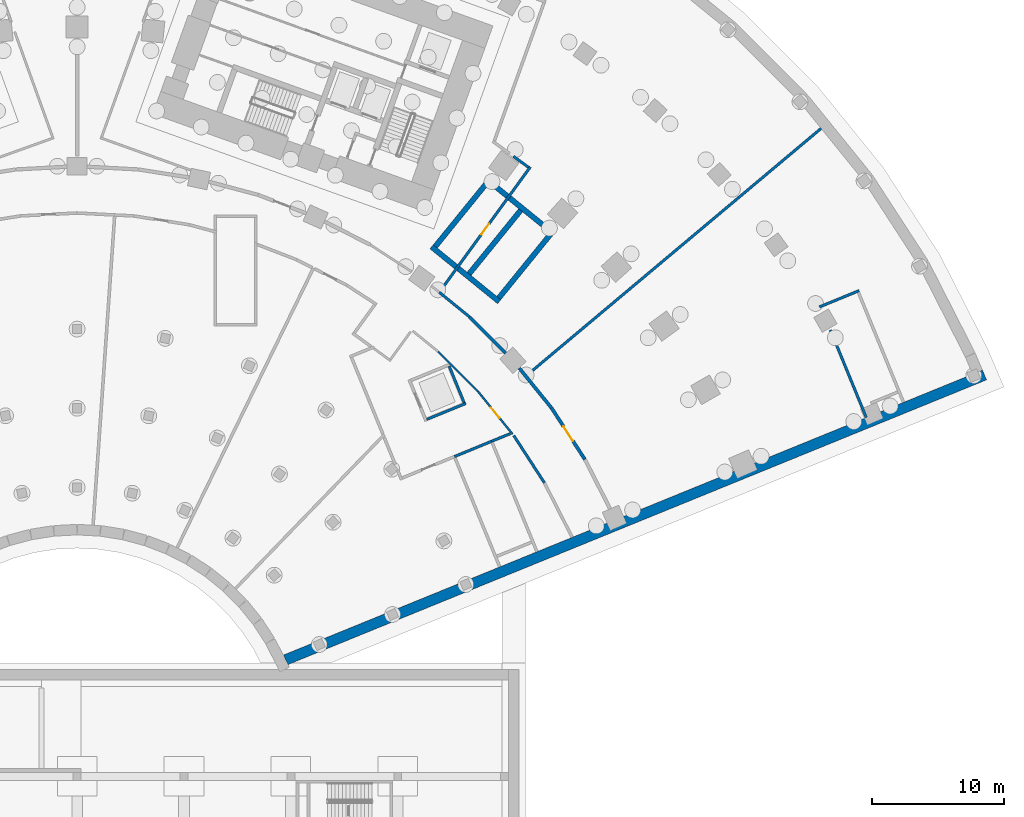
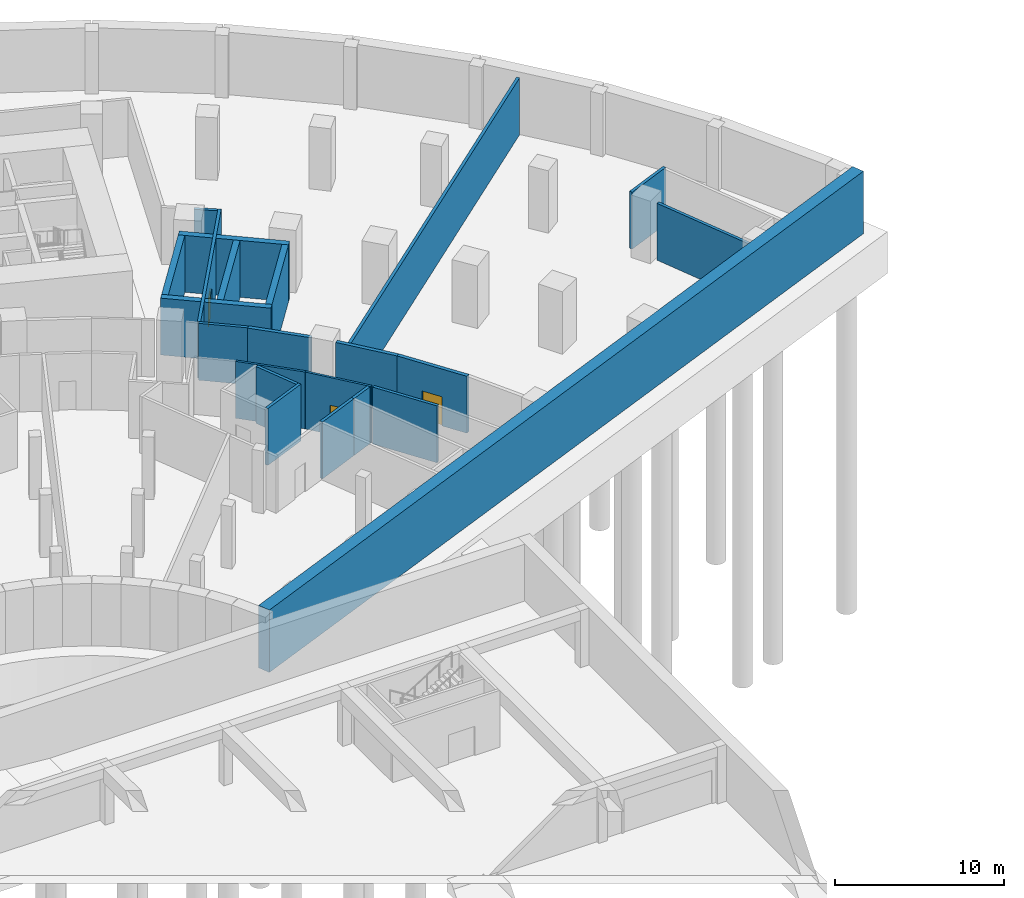
# One storey, part 13 of 25: 22 walls, 3 doors, 3 openings.
"""IFC4 building model written with IfcOpenShell, lengths in metres."""

from ifc_helpers import new_model, si_unit, direction, frame, frame_2d, origin, place, context, subcontext, project, spatial, rectangle, extrude, material, layer, layer_set, type_object, element, fill, save


model = new_model("IFC4")

# Units and contexts
model_context = context("Model", 3, precision=1e-05, world=origin(), true_north=direction((0.0, 1.0)))
body_context = subcontext(model_context, "Body", "Model", "MODEL_VIEW")
ifc_project = project(units=[si_unit("LENGTHUNIT", "METRE"), si_unit("AREAUNIT", "SQUARE_METRE"), si_unit("VOLUMEUNIT", "CUBIC_METRE"), si_unit("PLANEANGLEUNIT", "RADIAN"), si_unit("MASSUNIT", "GRAM", prefix="KILO")], contexts=[model_context])

# Site, building, storey
site_placement = place(None, origin())
site = spatial("IfcSite", under=ifc_project, at=site_placement, CompositionType="ELEMENT")
building_placement = place(site_placement, origin())
building = spatial("IfcBuilding", under=site, at=building_placement, Name="Stone Belt Terrace Tower", CompositionType="ELEMENT")
storey_placement = place(building_placement, frame((0.0, 0.0, -13.5)))
storey = spatial("IfcBuildingStorey", under=building, at=storey_placement, Name="B3", CompositionType="ELEMENT", Elevation=-13.5)

# Walls
ifc_material_1 = material(Name="Concrete B30", Category="concrete")
ifc_layer_1 = layer(ifc_material_1, 0.800048828125)
ifc_layer_set_1 = layer_set([ifc_layer_1], Name="Basement wall 800 B30")
wall_type_1 = type_object("IfcWallType", Name="Basement wall 800 B30", PredefinedType="SHEAR", material=ifc_layer_set_1)
wall_1_placement = place(storey_placement, frame((15.806396484375, 7.03173828125, 0.0), z_axis=(0.0, 0.0, 1.0), x_axis=(0.926043414777, 0.377417002728, 0.0)))
element("IfcWall", 1, at=wall_1_placement, inside=storey, type_object=wall_type_1, Name="Basement wall B3 23", PredefinedType="SHEAR", context=body_context, shape_type="SweptSolid", body=[
    extrude(rectangle(XDim=57.20166015625, YDim=0.800048828125, at=frame_2d((28.600830078125, 0.0))), origin(), (0.0, 0.0, 1.0), 4.5),
])
ifc_layer_2 = layer(ifc_material_1, 0.25)
ifc_layer_set_2 = layer_set([ifc_layer_2], Name="Compartment wall 250")
wall_type_2 = type_object("IfcWallType", Name="Compartment wall 250", PredefinedType="SOLIDWALL", material=ifc_layer_set_2)
wall_2_placement = place(storey_placement, frame((29.74462890625, 33.025390625, 0.0), z_axis=(0.0, 0.0, 1.0), x_axis=(0.707106781187, -0.707106781187, 0.0)))
element("IfcWall", 2, at=wall_2_placement, inside=storey, type_object=wall_type_2, Name="Compartment wall B3 16", PredefinedType="SOLIDWALL", context=body_context, shape_type="SweptSolid", body=[
    extrude(rectangle(XDim=3.8759765625, YDim=0.25, at=frame_2d((1.93798828125, 0.0))), origin(), (0.0, 0.0, 1.0), 4.10009765625),
])
wall_3_placement = place(storey_placement, frame((33.514404296875, 29.1416015625, 0.0), z_axis=(0.0, 0.0, 1.0), x_axis=(0.629104116974, -0.777321046934, 0.0)))
element("IfcWall", 3, at=wall_3_placement, inside=storey, type_object=wall_type_2, Name="Compartment wall B3 17", PredefinedType="SOLIDWALL", context=body_context, shape_type="SweptSolid", body=[
    extrude(rectangle(XDim=3.880859375, YDim=0.25, at=frame_2d((1.9404296875, 0.0))), origin(), (0.0, 0.0, 1.0), 4.10009765625),
])

# Wall, opening, door
wall_4_placement = place(storey_placement, frame((35.963623046875, 26.114501953125, 0.0), z_axis=(0.0, 0.0, 1.0), x_axis=(0.544253220019, -0.838920993002, 0.0)))
wall_4 = element("IfcWall", 4, at=wall_4_placement, inside=storey, type_object=wall_type_2, Name="Compartment wall B3 18", PredefinedType="SOLIDWALL", context=body_context, shape_type="SweptSolid", body=[
    extrude(rectangle(XDim=4.635498046875, YDim=0.25, at=frame_2d((2.31787109375, 0.0))), origin(), (0.0, 0.0, 1.0), 4.10009765625),
])
opening_1_placement = place(wall_4_placement, frame((1.667724609375, 0.0, 0.0)))
opening_1 = element("IfcOpeningElement", 5, at=opening_1_placement, cuts=wall_4, Name="Opening B3-P14", PredefinedType="OPENING", context=body_context, shape_type="SweptSolid", body=[
    extrude(rectangle(XDim=1.300048828125, YDim=2.10009765625, at=frame_2d((0.64990234375, 1.050048828125))), frame((0.0, 0.135009765625, 0.0), z_axis=(0.0, -1.0, 0.0), x_axis=(1.0, 0.0, 0.0)), (0.0, 0.0, 1.0), 0.27001953125),
])
ifc_material_2 = material(Name="Steel framed fire door leaf", Category="steel")
door_type_1 = type_object("IfcDoorType", Name="Fire door 1300 x 2100 EI 60", OperationType="SINGLE_SWING_LEFT", PredefinedType="DOOR", material=ifc_material_2)
door_1_placement = place(opening_1_placement, origin())
door_1 = element("IfcDoor", 6, at=door_1_placement, inside=storey, type_object=door_type_1, Name="Fire door 1300 x 2100 EI 60", OperationType="SINGLE_SWING_LEFT", OverallHeight=2.10009765625, OverallWidth=1.300048828125, PredefinedType="DOOR", context=body_context, shape_type="SweptSolid", body=[
    extrude(rectangle(XDim=1.300048828125, YDim=2.10009765625, at=frame_2d((0.64990234375, 1.050048828125))), frame((0.0, 0.02490234375, 0.0), z_axis=(0.0, -1.0, 0.0), x_axis=(1.0, 0.0, 0.0)), (0.0, 0.0, 1.0), 0.050048828125),
])
fill(opening_1, door_1)

# Wall
ifc_material_3 = material(Name="Blockwork wall, plastered both faces", Category="masonry")
ifc_layer_3 = layer(ifc_material_3, 0.199951171875)
ifc_layer_set_3 = layer_set([ifc_layer_3], Name="Podium demising wall 200")
wall_type_3 = type_object("IfcWallType", Name="Podium demising wall 200", PredefinedType="PARTITIONING", material=ifc_layer_set_3)
wall_5_placement = place(storey_placement, frame((27.4501953125, 34.889892578125, 0.0), z_axis=(0.0, 0.0, 1.0), x_axis=(0.776212887967, -0.630470897468, 0.0)))
element("IfcWall", 7, at=wall_5_placement, inside=storey, type_object=wall_type_3, Name="Podium demising wall 200", PredefinedType="PARTITIONING", context=body_context, shape_type="SweptSolid", body=[
    extrude(rectangle(XDim=2.94482421875, YDim=0.199951171875, at=frame_2d((1.472412109375, 0.0))), origin(), (0.0, 0.0, 1.0), 4.10009765625),
])

# Wall, opening, door
wall_6_placement = place(storey_placement, frame((27.5087890625, 34.970947265625, 0.0), z_axis=(0.0, 0.0, 1.0), x_axis=(0.587566752022, 0.809175699041, 0.0)))
wall_6 = element("IfcWall", 8, at=wall_6_placement, inside=storey, type_object=wall_type_3, Name="Podium demising wall 200", PredefinedType="PARTITIONING", context=body_context, shape_type="SweptSolid", body=[
    extrude(rectangle(XDim=11.641357421875, YDim=0.199951171875, at=frame_2d((5.82080078125, 0.0))), origin(), (0.0, 0.0, 1.0), 4.10009765625),
])
opening_2_placement = place(wall_6_placement, frame((5.320556640625, 0.0, 0.0)))
opening_2 = element("IfcOpeningElement", 9, at=opening_2_placement, cuts=wall_6, Name="Opening B3-P13", PredefinedType="OPENING", context=body_context, shape_type="SweptSolid", body=[
    extrude(rectangle(XDim=1.0, YDim=2.10009765625, at=frame_2d((0.5, 1.050048828125))), frame((0.0, 0.10986328125, 0.0), z_axis=(0.0, -1.0, 0.0), x_axis=(1.0, 0.0, 0.0)), (0.0, 0.0, 1.0), 0.219970703125),
])
ifc_material_4 = material(Name="Steel framed door leaf", Category="steel")
door_type_2 = type_object("IfcDoorType", Name="Podium door single 1000", OperationType="SINGLE_SWING_LEFT", PredefinedType="DOOR", material=ifc_material_4)
door_2_placement = place(opening_2_placement, origin())
door_2 = element("IfcDoor", 10, at=door_2_placement, inside=storey, type_object=door_type_2, Name="Podium door single 1000", OperationType="SINGLE_SWING_LEFT", OverallHeight=2.10009765625, OverallWidth=1.0, PredefinedType="DOOR", context=body_context, shape_type="SweptSolid", body=[
    extrude(rectangle(XDim=1.0, YDim=2.10009765625, at=frame_2d((0.5, 1.050048828125))), frame((0.0, 0.02490234375, 0.0), z_axis=(0.0, -1.0, 0.0), x_axis=(1.0, 0.0, 0.0)), (0.0, 0.0, 1.0), 0.050048828125),
])
fill(opening_2, door_2)

# Walls
wall_7_placement = place(storey_placement, frame((31.420166015625, 23.60009765625, 0.0), z_axis=(0.0, 0.0, 1.0), x_axis=(0.925906762985, 0.377752122773, 0.0)))
element("IfcWall", 11, at=wall_7_placement, inside=storey, type_object=wall_type_3, Name="Podium demising wall 200", PredefinedType="PARTITIONING", context=body_context, shape_type="SweptSolid", body=[
    extrude(rectangle(XDim=1.532958984375, YDim=0.199951171875, at=frame_2d((0.7666015625, 0.0))), origin(), (0.0, 0.0, 1.0), 4.10009765625),
])
wall_8_placement = place(storey_placement, frame((33.071044921875, 45.19482421875, 0.0), z_axis=(0.0, 0.0, 1.0), x_axis=(0.809216303781, -0.587510828577, 0.0)))
element("IfcWall", 12, at=wall_8_placement, inside=storey, type_object=wall_type_3, Name="Podium demising wall 200", PredefinedType="PARTITIONING", context=body_context, shape_type="SweptSolid", body=[
    extrude(rectangle(XDim=1.40625, YDim=0.199951171875, at=frame_2d((0.703125, 0.0))), origin(), (0.0, 0.0, 1.0), 4.10009765625),
])
wall_9_placement = place(storey_placement, frame((33.092529296875, 24.0361328125, 0.0), z_axis=(0.0, 0.0, 1.0), x_axis=(0.544379260043, -0.838839210597, 0.0)))
element("IfcWall", 13, at=wall_9_placement, inside=storey, type_object=wall_type_3, Name="Podium demising wall 200", PredefinedType="PARTITIONING", context=body_context, shape_type="SweptSolid", body=[
    extrude(rectangle(XDim=4.27001953125, YDim=0.199951171875, at=frame_2d((2.135009765625, 0.0))), origin(), (0.0, 0.0, 1.0), 4.10009765625),
])
wall_10_placement = place(storey_placement, frame((34.103515625, 28.614990234375, 0.0), z_axis=(0.0, 0.0, 1.0), x_axis=(0.766140216412, 0.642673454249, 0.0)))
element("IfcWall", 14, at=wall_10_placement, inside=storey, type_object=wall_type_3, Name="Podium demising wall 200", PredefinedType="PARTITIONING", context=body_context, shape_type="SweptSolid", body=[
    extrude(rectangle(XDim=29.087158203125, YDim=0.199951171875, at=frame_2d((14.54345703125, 0.0))), origin(), (0.0, 0.0, 1.0), 4.10009765625),
])
ifc_material_5 = material(Name="Reinforced blockwork wall, plastered both faces", Category="masonry")
ifc_layer_4 = layer(ifc_material_5, 0.199951171875)
ifc_layer_set_4 = layer_set([ifc_layer_4], Name="Podium lift shaft wall 200")
wall_type_4 = type_object("IfcWallType", Name="Podium lift shaft wall 200", PredefinedType="SOLIDWALL", material=ifc_layer_set_4)
wall_11_placement = place(storey_placement, frame((26.502685546875, 25.2578125, 0.0), z_axis=(0.0, 0.0, 1.0), x_axis=(0.92564908085, 0.378383111571, 0.0)))
element("IfcWall", 15, at=wall_11_placement, inside=storey, type_object=wall_type_4, Name="Podium lift shaft wall 200", PredefinedType="SOLIDWALL", context=body_context, shape_type="SweptSolid", body=[
    extrude(rectangle(XDim=3.19775390625, YDim=0.199951171875, at=frame_2d((1.598876953125, 0.0))), origin(), (0.0, 0.0, 1.0), 4.10009765625),
])
wall_12_placement = place(storey_placement, frame((28.19775390625, 29.29736328125, 0.0), z_axis=(0.0, 0.0, 1.0), x_axis=(0.378471104771, -0.925613106461, 0.0)))
element("IfcWall", 16, at=wall_12_placement, inside=storey, type_object=wall_type_4, Name="Podium lift shaft wall 200", PredefinedType="SOLIDWALL", context=body_context, shape_type="SweptSolid", body=[
    extrude(rectangle(XDim=2.99755859375, YDim=0.199951171875, at=frame_2d((1.498779296875, 0.0))), origin(), (0.0, 0.0, 1.0), 4.10009765625),
])
ifc_material_6 = material(Name="Gypsum board on steel stud partition", Category="steel")
ifc_layer_5 = layer(ifc_material_6, 0.14990234375)
ifc_layer_set_5 = layer_set([ifc_layer_5], Name="Podium partition 150")
wall_type_5 = type_object("IfcWallType", Name="Podium partition 150", PredefinedType="PARTITIONING", material=ifc_layer_set_5)
wall_13_placement = place(storey_placement, frame((27.372802734375, 30.38720703125, 0.0), z_axis=(0.0, 0.0, 1.0), x_axis=(0.707106781187, -0.707106781187, 0.0)))
element("IfcWall", 17, at=wall_13_placement, inside=storey, type_object=wall_type_5, Name="Podium partition 150", PredefinedType="PARTITIONING", context=body_context, shape_type="SweptSolid", body=[
    extrude(rectangle(XDim=4.262939453125, YDim=0.14990234375, at=frame_2d((2.13134765625, 0.0))), origin(), (0.0, 0.0, 1.0), 4.10009765625),
])

# Wall, opening, door
wall_14_placement = place(storey_placement, frame((30.392578125, 27.366943359375, 0.0), z_axis=(0.0, 0.0, 1.0), x_axis=(0.629179626547, -0.777259929198, 0.0)))
wall_14 = element("IfcWall", 18, at=wall_14_placement, inside=storey, type_object=wall_type_5, Name="Podium partition 150", PredefinedType="PARTITIONING", context=body_context, shape_type="SweptSolid", body=[
    extrude(rectangle(XDim=4.153076171875, YDim=0.14990234375, at=frame_2d((2.07666015625, 0.0))), origin(), (0.0, 0.0, 1.0), 4.10009765625),
])
opening_3_placement = place(wall_14_placement, frame((1.57666015625, 0.0, 0.0)))
opening_3 = element("IfcOpeningElement", 19, at=opening_3_placement, cuts=wall_14, Name="Opening B3-P18", PredefinedType="OPENING", context=body_context, shape_type="SweptSolid", body=[
    extrude(rectangle(XDim=1.0, YDim=2.10009765625, at=frame_2d((0.5, 1.050048828125))), frame((0.0, 0.0849609375, 0.0), z_axis=(0.0, -1.0, 0.0), x_axis=(1.0, 0.0, 0.0)), (0.0, 0.0, 1.0), 0.169921875),
])
door_3_placement = place(opening_3_placement, origin())
door_3 = element("IfcDoor", 20, at=door_3_placement, inside=storey, type_object=door_type_2, Name="Podium door single 1000", OperationType="SINGLE_SWING_RIGHT", OverallHeight=2.10009765625, OverallWidth=1.0, PredefinedType="DOOR", context=body_context, shape_type="SweptSolid", body=[
    extrude(rectangle(XDim=1.0, YDim=2.10009765625, at=frame_2d((0.5, 1.050048828125))), frame((0.0, 0.02490234375, 0.0), z_axis=(0.0, -1.0, 0.0), x_axis=(1.0, 0.0, 0.0)), (0.0, 0.0, 1.0), 0.050048828125),
])
fill(opening_3, door_3)

# Walls
ifc_layer_6 = layer(ifc_material_1, 0.199951171875)
ifc_layer_set_6 = layer_set([ifc_layer_6], Name="Podium stair and shaft wall 200")
wall_type_6 = type_object("IfcWallType", Name="Podium stair and shaft wall 200", PredefinedType="SOLIDWALL", material=ifc_layer_set_6)
wall_15_placement = place(storey_placement, frame((28.60009765625, 22.43994140625, 0.0), z_axis=(0.0, 0.0, 1.0), x_axis=(0.924815674246, 0.380415521068, 0.0)))
element("IfcWall", 21, at=wall_15_placement, inside=storey, type_object=wall_type_6, Name="Podium stair and shaft wall 200", PredefinedType="SOLIDWALL", context=body_context, shape_type="SweptSolid", body=[
    extrude(rectangle(XDim=3.049072265625, YDim=0.199951171875, at=frame_2d((1.5244140625, 0.0))), origin(), (0.0, 0.0, 1.0), 4.10009765625),
])
wall_16_placement = place(storey_placement, frame((56.267578125, 33.781982421875, 0.0), z_axis=(0.0, 0.0, 1.0), x_axis=(0.924810313923, 0.380428552112, 0.0)))
element("IfcWall", 22, at=wall_16_placement, inside=storey, type_object=wall_type_6, Name="Podium stair and shaft wall 200", PredefinedType="SOLIDWALL", context=body_context, shape_type="SweptSolid", body=[
    extrude(rectangle(XDim=3.249267578125, YDim=0.199951171875, at=frame_2d((1.62451171875, 0.0))), origin(), (0.0, 0.0, 1.0), 4.10009765625),
])
wall_17_placement = place(storey_placement, frame((57.094482421875, 32.02880859375, 0.0), z_axis=(0.0, 0.0, 1.0), x_axis=(0.379331985473, -0.925260636144, 0.0)))
element("IfcWall", 23, at=wall_17_placement, inside=storey, type_object=wall_type_6, Name="Podium stair and shaft wall 200", PredefinedType="SOLIDWALL", context=body_context, shape_type="SweptSolid", body=[
    extrude(rectangle(XDim=7.16455078125, YDim=0.199951171875, at=frame_2d((3.582275390625, 0.0))), origin(), (0.0, 0.0, 1.0), 4.10009765625),
])
ifc_material_7 = material(Name="Concrete B80", Category="concrete")
ifc_layer_7 = layer(ifc_material_7, 0.39990234375)
ifc_layer_set_7 = layer_set([ifc_layer_7], Name="Stair enclosure wall 400")
wall_type_7 = type_object("IfcWallType", Name="Stair enclosure wall 400", PredefinedType="SHEAR", material=ifc_layer_set_7)
wall_18_placement = place(storey_placement, frame((26.868408203125, 38.3388671875, 0.0), z_axis=(0.0, 0.0, 1.0), x_axis=(0.776428452498, -0.630205409491, 0.0)))
element("IfcWall", 24, at=wall_18_placement, inside=storey, type_object=wall_type_7, Name="Exit stair ST3B wall base", PredefinedType="SHEAR", context=body_context, shape_type="SweptSolid", body=[
    extrude(rectangle(XDim=6.60009765625, YDim=0.39990234375, at=frame_2d((3.300048828125, 0.0))), origin(), (0.0, 0.0, 1.0), 4.10009765625),
])
wall_19_placement = place(storey_placement, frame((31.02783203125, 43.46337890625, 0.0), z_axis=(0.0, 0.0, 1.0), x_axis=(0.776413760801, -0.630223509589, 0.0)))
element("IfcWall", 25, at=wall_19_placement, inside=storey, type_object=wall_type_7, Name="Exit stair ST3B wall base", PredefinedType="SHEAR", context=body_context, shape_type="SweptSolid", body=[
    extrude(rectangle(XDim=6.599853515625, YDim=0.39990234375, at=frame_2d((3.2998046875, 0.0))), origin(), (0.0, 0.0, 1.0), 4.10009765625),
])
for number, where, z_axis, x_axis, name in (
    (26, (27.149658203125, 38.3681640625, 0.0), (0.0, 0.0, 1.0), (0.630211551729, 0.776423466973, 0.0), "Exit stair ST3B wall base"),
    (27, (31.963623046875, 34.460693359375, 0.0), (0.0, 0.0, 1.0), (0.630192283849, 0.776439106033, 0.0), "Exit stair ST3B wall base"),
    (28, (29.7119140625, 36.288330078125, 0.0), (0.0, 0.0, 1.0), (0.630192283849, 0.776439106033, 0.0), "Exit stair ST3B wall base"),
):
    element("IfcWall", number, at=place(storey_placement, frame(where, z_axis=z_axis, x_axis=x_axis)), inside=storey, type_object=wall_type_7, Name=name, PredefinedType="SHEAR", context=body_context, shape_type="SweptSolid", body=[
        extrude(rectangle(XDim=6.199951171875, YDim=0.39990234375, at=frame_2d((3.10009765625, 0.0))), origin(), (0.0, 0.0, 1.0), 4.10009765625),
    ])

save(model, "model.ifc")
